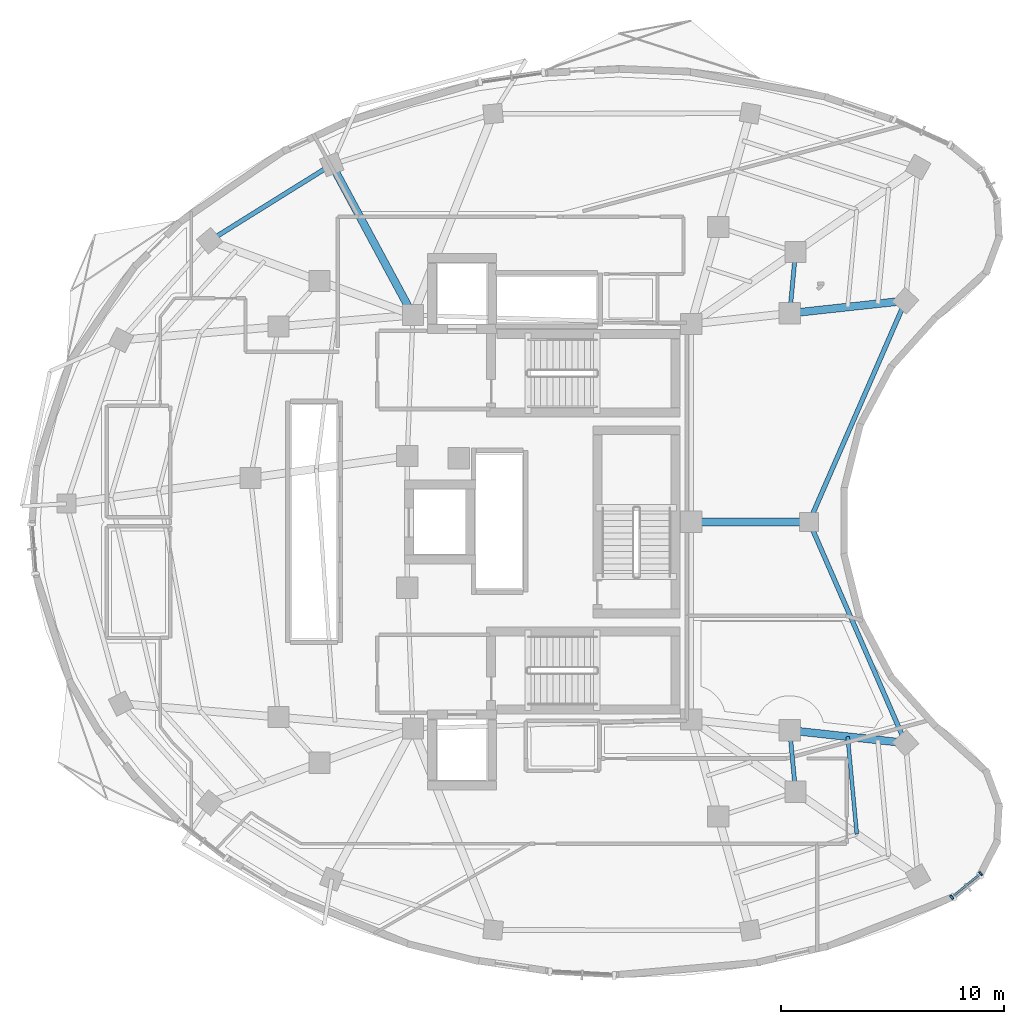
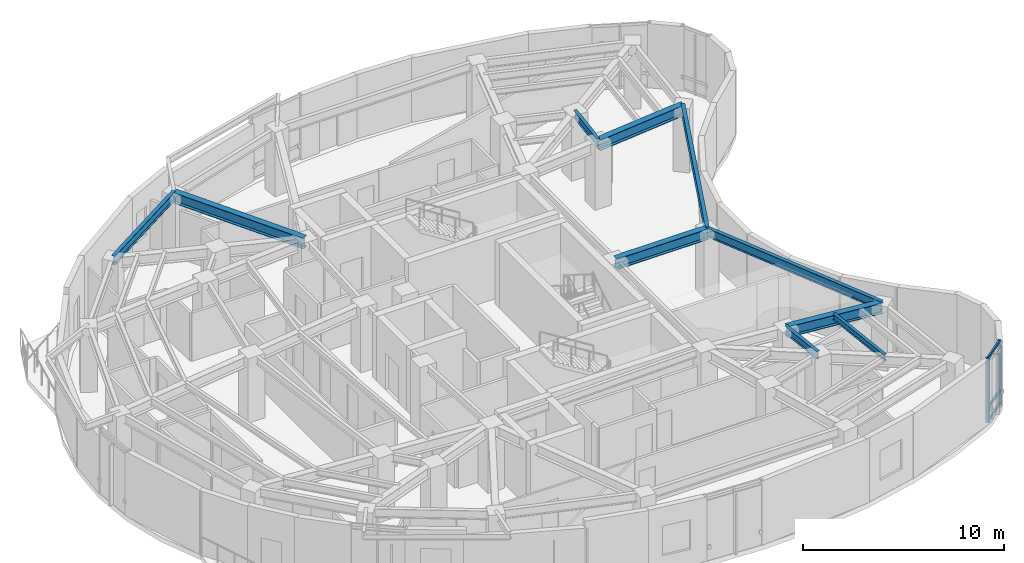
# One storey, part 4 of 13: 10 beams, 5 members, 1 element without a shape of its own.
"""IFC4 building model written with IfcOpenShell, lengths in metres."""

import ifcopenshell
import ifcopenshell.guid

model = None  # the IFC model being written
_history = None  # IfcOwnerHistory: only IFC2X3 demands one
_inside = {}  # id of a spatial element -> (the spatial element, [elements in it])
_under = {}  # id of a project, library or spatial element -> (it, [spatial elements below it])
_declared = {}  # id of a project -> (the project, [libraries it declares])
_typed = {}  # id of a type object -> (the type object, [elements of that type])
_made_of = {}  # id of a material, layer set ... -> (it, [elements and type objects made of it])


def new_model(schema):
    """Start an empty IFC model of exactly this schema.

    Asked for "IFC4X3", IfcOpenShell would pick the latest addendum, in which some entities
    have other attributes; the version numbers below select the first issue.
    IFC2X3 requires an IfcOwnerHistory on every rooted entity: one is made here for all.
    """
    global model, _history
    if schema == "IFC4X3":
        model = ifcopenshell.file(schema_version=(4, 3, 0, 0))
    else:
        model = ifcopenshell.file(schema=schema)
    _inside.clear()
    _under.clear()
    _declared.clear()
    _typed.clear()
    _made_of.clear()
    _history = None
    if model.schema == "IFC2X3":
        org = make("IfcOrganization", Name="unknown")
        user = make(
            "IfcPersonAndOrganization",
            ThePerson=make("IfcPerson", FamilyName="unknown"),
            TheOrganization=org,
        )
        app = make(
            "IfcApplication",
            ApplicationDeveloper=org,
            Version="unknown",
            ApplicationFullName="unknown",
            ApplicationIdentifier="unknown",
        )
        _history = make(
            "IfcOwnerHistory",
            OwningUser=user,
            OwningApplication=app,
            ChangeAction="ADDED",
            CreationDate=0,
        )
    return model


def make(cls, **values):
    """One entity of the class cls with the attributes given. An attribute that is None is left unset."""
    return model.create_entity(
        cls, **{name: value for name, value in values.items() if value is not None}
    )


def rooted(cls, **values):
    """An entity with a GlobalId (a new one), such as an element, a storey or a relation."""
    return make(cls, GlobalId=ifcopenshell.guid.new(), OwnerHistory=_history, **values)


def si_unit(unit_type, name, prefix=None):
    """IfcSIUnit, for example si_unit("LENGTHUNIT", "METRE", prefix="MILLI")."""
    return make("IfcSIUnit", UnitType=unit_type, Prefix=prefix, Name=name)


def assignment(units):
    """IfcUnitAssignment: the units of a project."""
    return None if units is None else make("IfcUnitAssignment", Units=units)


def point(xyz):
    """IfcCartesianPoint."""
    return None if xyz is None else make("IfcCartesianPoint", Coordinates=xyz)


def direction(xyz):
    """IfcDirection."""
    return None if xyz is None else make("IfcDirection", DirectionRatios=xyz)


def frame(location, z_axis=None, x_axis=None):
    """IfcAxis2Placement3D, a coordinate frame: its origin and axes. An axis left out is left unset."""
    return make(
        "IfcAxis2Placement3D",
        Location=point(location),
        Axis=direction(z_axis),
        RefDirection=direction(x_axis),
    )


def frame_2d(location, x_axis=None):
    """IfcAxis2Placement2D, a coordinate frame in the plane: its origin and x axis."""
    return make(
        "IfcAxis2Placement2D", Location=point(location), RefDirection=direction(x_axis)
    )


def origin():
    """The frame at (0, 0, 0) with its axes left unset."""
    return frame((0.0, 0.0, 0.0))


def origin_2d():
    """The frame at (0, 0) in the plane with its x axis left unset."""
    return frame_2d((0.0, 0.0))


def place(relative_to, where):
    """IfcLocalPlacement: puts the frame where relative to a parent placement (None: the world)."""
    return make(
        "IfcLocalPlacement", PlacementRelTo=relative_to, RelativePlacement=where
    )


def context(
    kind, dimensions, precision=None, world=None, true_north=None, identifier=None
):
    """IfcGeometricRepresentationContext, for example the 3D "Model" context."""
    return make(
        "IfcGeometricRepresentationContext",
        ContextIdentifier=identifier,
        ContextType=kind,
        CoordinateSpaceDimension=dimensions,
        Precision=precision,
        WorldCoordinateSystem=world,
        TrueNorth=true_north,
    )


def subcontext(parent, identifier, kind, view, scale=None):
    """IfcGeometricRepresentationSubContext, for example "Body" below "Model"."""
    return make(
        "IfcGeometricRepresentationSubContext",
        ContextIdentifier=identifier,
        ContextType=kind,
        ParentContext=parent,
        TargetScale=scale,
        TargetView=view,
    )


def project(units=None, contexts=None):
    """IfcProject with its units and contexts."""
    return rooted(
        "IfcProject",
        Name="project",
        RepresentationContexts=contexts,
        UnitsInContext=assignment(units),
    )


def spatial(cls, under=None, at=None, **own):
    """A site, building, storey or space (cls), placed at a placement, below another one or the project."""
    s = rooted(cls, ObjectPlacement=at, **own)
    if under is not None:
        _under.setdefault(under.id(), (under, []))[1].append(s)
    return s


def profile(cls, at=None, kind="AREA", **sizes):
    """A parametric profile (cls). Its sizes go by their IFC names, for example OverallWidth=200.0."""
    return make(cls, ProfileType=kind, Position=at, **sizes)


def rectangle(**sizes):
    """IfcRectangleProfileDef."""
    return profile("IfcRectangleProfileDef", **sizes)


def i_section(**sizes):
    """IfcIShapeProfileDef."""
    return profile("IfcIShapeProfileDef", **sizes)


def extrude(swept, where, along, depth):
    """IfcExtrudedAreaSolid: the profile swept, set in the frame where, extruded along a direction by depth."""
    return make(
        "IfcExtrudedAreaSolid",
        SweptArea=swept,
        Position=where,
        ExtrudedDirection=direction(along),
        Depth=depth,
    )


def shape(context_of_items, identifier, shape_type, items):
    """IfcShapeRepresentation: the items that make up one representation, for example the "Body"."""
    return make(
        "IfcShapeRepresentation",
        ContextOfItems=context_of_items,
        RepresentationIdentifier=identifier,
        RepresentationType=shape_type,
        Items=items,
    )


def material(Name=None, Category=None):
    """IfcMaterial."""
    return make("IfcMaterial", Name=Name, Category=Category)


def layer(
    of_material, thickness, ventilated=None, Name=None, Category=None, Priority=None
):
    """IfcMaterialLayer: one layer of a wall or slab, of a material (None: an air gap)."""
    return make(
        "IfcMaterialLayer",
        Material=of_material,
        LayerThickness=thickness,
        IsVentilated=ventilated,
        Name=Name,
        Category=Category,
        Priority=Priority,
    )


def layer_set(layers, Name=None):
    """IfcMaterialLayerSet."""
    return make("IfcMaterialLayerSet", MaterialLayers=layers, LayerSetName=Name)


def material_profile(
    of_material, cross_section, Name=None, Category=None, Priority=None
):
    """IfcMaterialProfile: a cross section and its material."""
    return make(
        "IfcMaterialProfile",
        Name=Name,
        Material=of_material,
        Profile=cross_section,
        Priority=Priority,
        Category=Category,
    )


def profile_set(profiles, Name=None, composite=None):
    """IfcMaterialProfileSet."""
    return make(
        "IfcMaterialProfileSet",
        Name=Name,
        MaterialProfiles=profiles,
        CompositeProfile=composite,
    )


def made_of(thing, what):
    """Note that an element or type object is made of a material, layer set ...; save() writes the relation."""
    if what is not None:
        _made_of.setdefault(what.id(), (what, []))[1].append(thing)
    return thing


def type_object(cls, material=None, **own):
    """A type object (cls), such as IfcWallType, which elements share."""
    return made_of(rooted(cls, **own), material)


def element(
    cls,
    number,
    at=None,
    inside=None,
    cuts=None,
    type_object=None,
    material=None,
    context=None,
    identifier="Body",
    shape_type=None,
    held_by="IfcProductDefinitionShape",
    body=None,
    shapes=None,
    **own,
):
    """One element of the class cls, such as IfcWall. Its Tag is "e" and its number.

    at: its placement. inside: the storey or other place that contains it. cuts: it is an
    opening in that element (IfcRelVoidsElement). A single representation is given by context,
    identifier, shape_type and body (its items); several are given by shapes. held_by: the class
    of the entity that holds the representations. save() writes the other relations.
    """
    e = rooted(cls, Tag="e%d" % number, ObjectPlacement=at, **own)
    if body is not None:
        shapes = [shape(context, identifier, shape_type, body)]
    if shapes is not None:
        e.Representation = make(held_by, Representations=shapes)
    if inside is not None:
        _inside.setdefault(inside.id(), (inside, []))[1].append(e)
    if cuts is not None:
        rooted(
            "IfcRelVoidsElement", RelatingBuildingElement=cuts, RelatedOpeningElement=e
        )
    if type_object is not None:
        _typed.setdefault(type_object.id(), (type_object, []))[1].append(e)
    return made_of(e, material)


def aggregate(whole, parts):
    """IfcRelAggregates: a whole, such as a stair, and the parts it consists of."""
    return rooted("IfcRelAggregates", RelatingObject=whole, RelatedObjects=parts)


def save(model, path):
    """Write the relations noted so far, then the file.

    IfcRelAggregates (storeys below a building ...), IfcRelContainedInSpatialStructure (elements
    in a storey), IfcRelDefinesByType, IfcRelAssociatesMaterial and IfcRelDeclares: one each for
    every whole, place, type object, material and project.
    """
    for whole, parts in _under.values():
        aggregate(whole, parts)
    for where, things in _inside.values():
        rooted(
            "IfcRelContainedInSpatialStructure",
            RelatedElements=things,
            RelatingStructure=where,
        )
    for kind, things in _typed.values():
        rooted("IfcRelDefinesByType", RelatedObjects=things, RelatingType=kind)
    for what, things in _made_of.values():
        rooted("IfcRelAssociatesMaterial", RelatedObjects=things, RelatingMaterial=what)
    for by, libraries in _declared.values():
        rooted("IfcRelDeclares", RelatingContext=by, RelatedDefinitions=libraries)
    model.write(path)


model = new_model("IFC4")

# Units and contexts
model_context = context("Model", 3, precision=1e-05, world=origin(), true_north=direction((0.0, 1.0)))
body_context = subcontext(model_context, "Body", "Model", "MODEL_VIEW")
ifc_project = project(units=[si_unit("LENGTHUNIT", "METRE"), si_unit("AREAUNIT", "SQUARE_METRE"), si_unit("VOLUMEUNIT", "CUBIC_METRE"), si_unit("PLANEANGLEUNIT", "RADIAN"), si_unit("MASSUNIT", "GRAM", prefix="KILO")], contexts=[model_context])

# Site, building, storey
site_placement = place(None, origin())
site = spatial("IfcSite", under=ifc_project, at=site_placement, CompositionType="ELEMENT")
building_placement = place(site_placement, origin())
building = spatial("IfcBuilding", under=site, at=building_placement, Name="Korentha Bioscience Tower", CompositionType="ELEMENT")
storey_placement = place(building_placement, frame((0.0, 0.0, 268.800048828125)))
storey = spatial("IfcBuildingStorey", under=building, at=storey_placement, Name="L62", CompositionType="ELEMENT", Elevation=268.800048828125)

# Beams
ifc_material_1 = material(Name="Steel S355", Category="steel")
ifc_material_profile_1 = material_profile(ifc_material_1, i_section(OverallWidth=0.18994140625, OverallDepth=0.45703125, WebThickness=0.009033203125, FlangeThickness=0.014404296875, at=origin_2d()), Name="Steel S355")
ifc_profile_set_1 = profile_set([ifc_material_profile_1], Name="Steel S355 (MB-460)")
beam_type_1 = type_object("IfcBeamType", Name="Mid-Ring Tie Girder W460x74", PredefinedType="BEAM", material=ifc_profile_set_1)
for number, where, z_axis, x_axis, name in (
    (1, (42.2216796875, 14.91943359375, 3.67138671875), (-0.093348923855, 0.995633455854, 0.0), (-0.995633455854, -0.093348923855, 0.0), "L62 Mid-Ring Tie Girder 13"),
    (2, (41.9638671875, 36.330810546875, 3.67138671875), (0.093348923855, 0.995633455854, 0.0), (-0.995633455854, 0.093348923855, 0.0), "L62 Mid-Ring Tie Girder 16"),
):
    element("IfcBeam", number, at=place(storey_placement, frame(where, z_axis=z_axis, x_axis=x_axis)), inside=storey, type_object=beam_type_1, Name=name, PredefinedType="BEAM", context=body_context, shape_type="SweptSolid", body=[
        extrude(i_section(OverallWidth=0.18994140625, OverallDepth=0.45703125, WebThickness=0.009033203125, FlangeThickness=0.014404296875, at=origin_2d()), origin(), (0.0, 0.0, 1.0), 2.76171875),
    ])

# Curtain wall, members
ifc_material_2 = material(Name="Thermally Broken Aluminium Frame", Category="aluminium")
ifc_layer = layer(ifc_material_2, 0.219970703125, Name="Thermally Broken Aluminium Frame")
ifc_layer_set = layer_set([ifc_layer], Name="Thermally Broken Aluminium Frame (CW-T2)")
curtain_wall_type = type_object("IfcCurtainWallType", Name="Solar-Screened Lab Unitised Curtain Wall CW-T2", PredefinedType="USERDEFINED", material=ifc_layer_set)
curtain_wall_placement = place(storey_placement, origin())
curtain_wall = element("IfcCurtainWall", 3, at=curtain_wall_placement, inside=storey, type_object=curtain_wall_type, Name="L62 Curtain Wall 37", ObjectType="UNITISED", PredefinedType="USERDEFINED")
ifc_material_3 = material(Name="Anodised Aluminium 6063-T6", Category="aluminium")
ifc_material_profile_2 = material_profile(ifc_material_3, rectangle(XDim=0.090087890625, YDim=0.199951171875, at=origin_2d()), Name="Anodised Aluminium 6063-T6")
ifc_profile_set_2 = profile_set([ifc_material_profile_2], Name="Anodised Aluminium 6063-T6 (CW-MUL)")
member_type_1 = type_object("IfcMemberType", Name="Mullion RECT 90x200", PredefinedType="MULLION", material=ifc_profile_set_2)
member_1_placement = place(storey_placement, frame((49.212646484375, 10.203125, 0.0), z_axis=(0.0, 0.0, 1.0), x_axis=(0.774235415138, 0.632897718393, 0.0)))
member_1 = element("IfcMember", 4, at=member_1_placement, type_object=member_type_1, Name="CW-L62-37 Mullion 1", PredefinedType="MULLION", context=body_context, shape_type="SweptSolid", body=[
    extrude(rectangle(XDim=0.090087890625, YDim=0.199951171875, at=origin_2d()), origin(), (0.0, 0.0, 1.0), 3.89990234375),
])
member_2_placement = place(storey_placement, frame((50.507080078125, 11.260986328125, 0.0), z_axis=(0.0, 0.0, 1.0), x_axis=(0.774235415138, 0.632897718393, 0.0)))
member_2 = element("IfcMember", 5, at=member_2_placement, type_object=member_type_1, Name="CW-L62-37 Mullion 2", PredefinedType="MULLION", context=body_context, shape_type="SweptSolid", body=[
    extrude(rectangle(XDim=0.090087890625, YDim=0.199951171875, at=origin_2d()), origin(), (0.0, 0.0, 1.0), 3.89990234375),
])

# Beams
ifc_material_profile_3 = material_profile(ifc_material_1, i_section(OverallWidth=0.208984375, OverallDepth=0.532958984375, WebThickness=0.01025390625, FlangeThickness=0.015625, at=origin_2d()), Name="Steel S355")
ifc_profile_set_3 = profile_set([ifc_material_profile_3], Name="Steel S355 (SB-530)")
beam_type_2 = type_object("IfcBeamType", Name="Perimeter Ring Spandrel Girder W530x92", PredefinedType="SPANDREL", material=ifc_profile_set_3)
beam_1_placement = place(storey_placement, frame((21.468505859375, 42.986328125, 3.633544921875), z_axis=(-0.848585501162, -0.529058264482, 0.0), x_axis=(0.529058264482, -0.848585501162, 0.0)))
element("IfcBeam", 6, at=beam_1_placement, inside=storey, type_object=beam_type_2, Name="L62 Perimeter Spandrel Girder 04", PredefinedType="SPANDREL", context=body_context, shape_type="SweptSolid", body=[
    extrude(i_section(OverallWidth=0.208984375, OverallDepth=0.532958984375, WebThickness=0.01025390625, FlangeThickness=0.015625, at=origin_2d()), origin(), (0.0, 0.0, 1.0), 6.441162109375),
])
for number, where, z_axis, x_axis, name in (
    (7, (47.1455078125, 17.1044921875, 3.633544921875), (-0.399437259894, 0.916760533296, 0.0), (-0.916760533296, -0.399437259894, 0.0), "L62 Perimeter Spandrel Girder 14"),
    (8, (42.833984375, 27.0, 3.633544921875), (0.399437259894, 0.916760533296, 0.0), (-0.916760533296, 0.399437259894, 0.0), "L62 Perimeter Spandrel Girder 15"),
):
    element("IfcBeam", number, at=place(storey_placement, frame(where, z_axis=z_axis, x_axis=x_axis)), inside=storey, type_object=beam_type_2, Name=name, PredefinedType="SPANDREL", context=body_context, shape_type="SweptSolid", body=[
        extrude(i_section(OverallWidth=0.208984375, OverallDepth=0.532958984375, WebThickness=0.01025390625, FlangeThickness=0.015625, at=origin_2d()), origin(), (0.0, 0.0, 1.0), 10.7939453125),
    ])
ifc_material_profile_4 = material_profile(ifc_material_1, i_section(OverallWidth=0.35009765625, OverallDepth=0.64990234375, WebThickness=0.01611328125, FlangeThickness=0.02490234375, at=origin_2d()), Name="Steel S355")
ifc_profile_set_4 = profile_set([ifc_material_profile_4], Name="Steel S355 (RB-650)")
beam_type_3 = type_object("IfcBeamType", Name="Radial Laboratory Girder CVS 650x208", PredefinedType="BEAM", material=ifc_profile_set_4)
beam_2_placement = place(storey_placement, frame((25.10009765625, 36.25, 3.574951171875), z_axis=(-0.474539218542, 0.880234360875, 0.0), x_axis=(-0.880234360875, -0.474539218542, 0.0)))
element("IfcBeam", 9, at=beam_2_placement, inside=storey, type_object=beam_type_3, Name="L62 Radial Girder 04", PredefinedType="BEAM", context=body_context, shape_type="SweptSolid", body=[
    extrude(i_section(OverallWidth=0.35009765625, OverallDepth=0.64990234375, WebThickness=0.01611328125, FlangeThickness=0.02490234375, at=origin_2d()), origin(), (0.0, 0.0, 1.0), 7.65283203125),
])
beam_3_placement = place(storey_placement, frame((41.9638671875, 17.669189453125, 3.574951171875), z_axis=(0.994114014358, -0.108338942481, 0.0), x_axis=(0.108338942481, 0.994114014358, 0.0)))
element("IfcBeam", 10, at=beam_3_placement, inside=storey, type_object=beam_type_3, Name="L62 Outer Radial Girder 14", PredefinedType="BEAM", context=body_context, shape_type="SweptSolid", body=[
    extrude(i_section(OverallWidth=0.35009765625, OverallDepth=0.64990234375, WebThickness=0.01611328125, FlangeThickness=0.02490234375, at=origin_2d()), origin(), (0.0, 0.0, 1.0), 5.21240234375),
])
beam_4_placement = place(storey_placement, frame((37.550048828125, 27.0, 3.574951171875), z_axis=(1.0, 0.0, 0.0), x_axis=(0.0, 1.0, 0.0)))
element("IfcBeam", 11, at=beam_4_placement, inside=storey, type_object=beam_type_3, Name="L62 Radial Girder 15", PredefinedType="BEAM", context=body_context, shape_type="SweptSolid", body=[
    extrude(i_section(OverallWidth=0.35009765625, OverallDepth=0.64990234375, WebThickness=0.01611328125, FlangeThickness=0.02490234375, at=origin_2d()), origin(), (0.0, 0.0, 1.0), 5.283935546875),
])
beam_5_placement = place(storey_placement, frame((41.9638671875, 36.330810546875, 3.574951171875), z_axis=(0.994114014358, 0.108338942481, 0.0), x_axis=(-0.108338942481, 0.994114014358, 0.0)))
element("IfcBeam", 12, at=beam_5_placement, inside=storey, type_object=beam_type_3, Name="L62 Outer Radial Girder 16", PredefinedType="BEAM", context=body_context, shape_type="SweptSolid", body=[
    extrude(i_section(OverallWidth=0.35009765625, OverallDepth=0.64990234375, WebThickness=0.01611328125, FlangeThickness=0.02490234375, at=origin_2d()), origin(), (0.0, 0.0, 1.0), 5.21240234375),
])
ifc_material_profile_5 = material_profile(ifc_material_1, i_section(OverallWidth=0.1708984375, OverallDepth=0.35498046875, WebThickness=0.007080078125, FlangeThickness=0.01171875, at=origin_2d()), Name="Steel S355")
ifc_profile_set_5 = profile_set([ifc_material_profile_5], Name="Steel S355 (JB-360)")
beam_type_4 = type_object("IfcBeamType", Name="Secondary Laboratory Joist W360x51", PredefinedType="JOIST", material=ifc_profile_set_5)
beam_6_placement = place(storey_placement, frame((44.9638671875, 13.023193359375, 3.722412109375), z_axis=(-0.093363142036, 0.995632122678, 0.0), x_axis=(-0.995632122678, -0.093363142036, 0.0)))
element("IfcBeam", 13, at=beam_6_placement, inside=storey, type_object=beam_type_4, Name="L62 Secondary Floor Beam JST-13", PredefinedType="JOIST", context=body_context, shape_type="SweptSolid", body=[
    extrude(i_section(OverallWidth=0.1708984375, OverallDepth=0.35498046875, WebThickness=0.007080078125, FlangeThickness=0.01171875, at=origin_2d()), origin(), (0.0, 0.0, 1.0), 4.382568359375),
])

# Member
ifc_material_profile_6 = material_profile(ifc_material_3, rectangle(XDim=0.090087890625, YDim=0.159912109375, at=origin_2d()), Name="Anodised Aluminium 6063-T6")
ifc_profile_set_6 = profile_set([ifc_material_profile_6], Name="Anodised Aluminium 6063-T6 (CW-TRN)")
member_type_2 = type_object("IfcMemberType", Name="Transom RECT 90x160", PredefinedType="USERDEFINED", material=ifc_profile_set_6)
member_3_placement = place(storey_placement, frame((49.24755859375, 10.231689453125, 0.044921875), z_axis=(0.77425981368, 0.632867870033, 0.0), x_axis=(-0.632867870033, 0.77425981368, 0.0)))
member_3 = element("IfcMember", 14, at=member_3_placement, type_object=member_type_2, Name="CW-L62-37 Bay 1 Transom 1", ObjectType="TRANSOM", PredefinedType="USERDEFINED", context=body_context, shape_type="SweptSolid", body=[
    extrude(rectangle(XDim=0.090087890625, YDim=0.159912109375, at=origin_2d()), origin(), (0.0, 0.0, 1.0), 1.58154296875),
])

member_4_placement = place(storey_placement, frame((49.24755859375, 10.231689453125, 0.849853515625), z_axis=(0.77425981368, 0.632867870033, 0.0), x_axis=(-0.632867870033, 0.77425981368, 0.0)))
member_4 = element("IfcMember", 15, at=member_4_placement, type_object=member_type_2, Name="CW-L62-37 Bay 1 Transom 2", ObjectType="TRANSOM", PredefinedType="USERDEFINED", context=body_context, shape_type="SweptSolid", body=[
    extrude(rectangle(XDim=0.090087890625, YDim=0.159912109375, at=origin_2d()), origin(), (0.0, 0.0, 1.0), 1.58154296875),
])

member_5_placement = place(storey_placement, frame((49.24755859375, 10.231689453125, 3.85498046875), z_axis=(0.77425981368, 0.632867870033, 0.0), x_axis=(-0.632867870033, 0.77425981368, 0.0)))
member_5 = element("IfcMember", 16, at=member_5_placement, type_object=member_type_2, Name="CW-L62-37 Bay 1 Transom 3", ObjectType="TRANSOM", PredefinedType="USERDEFINED", context=body_context, shape_type="SweptSolid", body=[
    extrude(rectangle(XDim=0.090087890625, YDim=0.159912109375, at=origin_2d()), origin(), (0.0, 0.0, 1.0), 1.58154296875),
])

aggregate(curtain_wall, [member_1, member_2, member_3, member_4, member_5])

save(model, "model.ifc")
